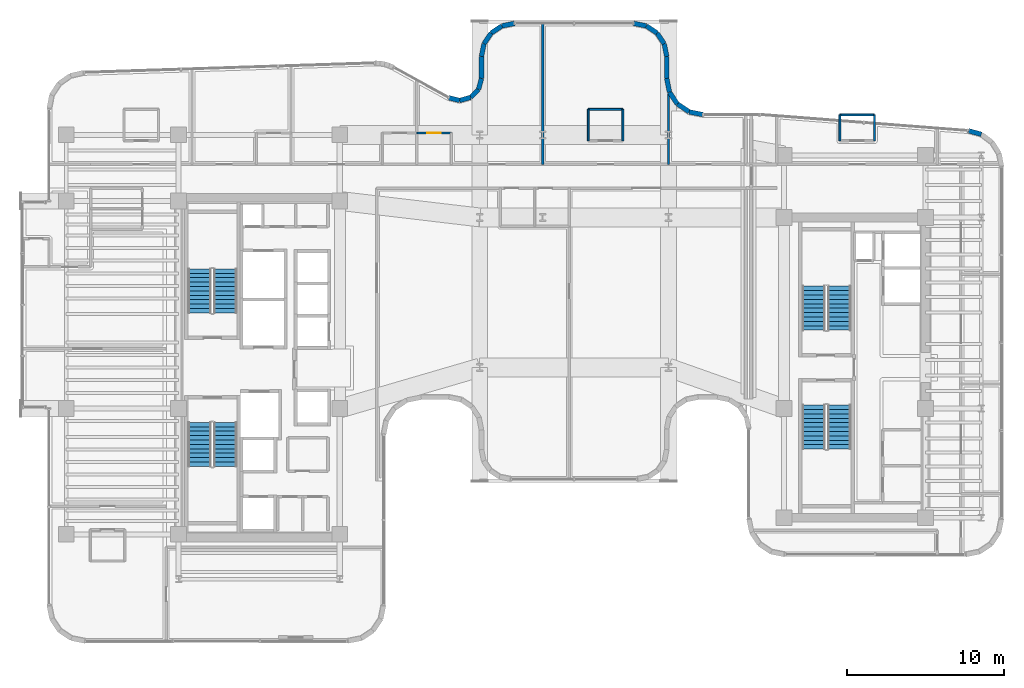
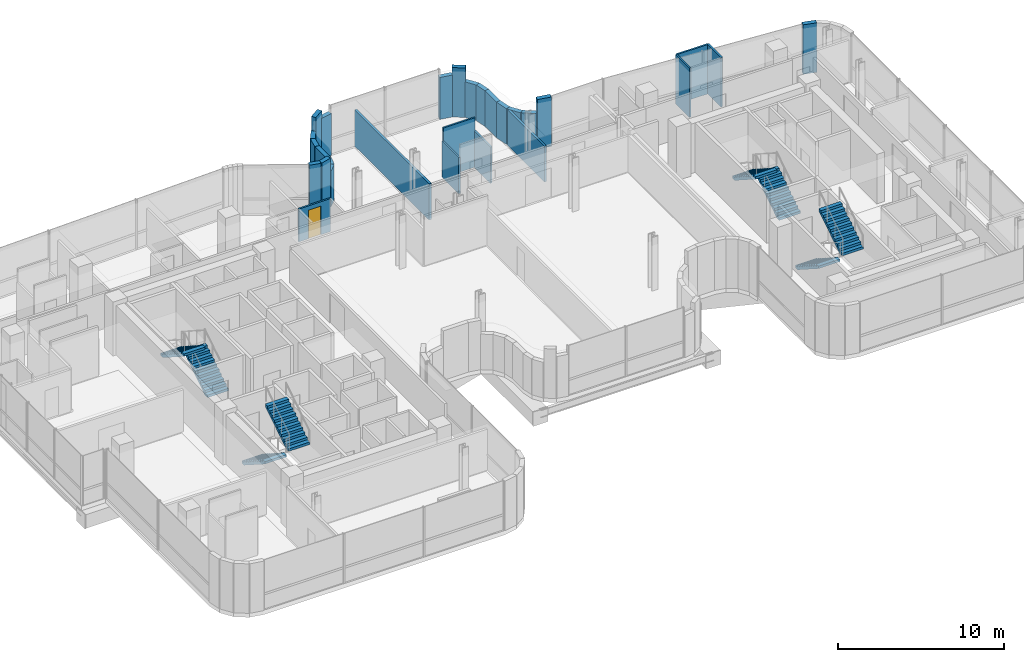
# One storey, part 31 of 36: 28 walls, 8 stair flights, 1 door, 1 opening, 4 elements without a shape of their own.
"""IFC4 building model written with IfcOpenShell, lengths in metres."""

from ifc_helpers import new_model, si_unit, direction, frame, frame_2d, origin, place, context, subcontext, project, spatial, polyline, rectangle, outline, extrude, material, layer, layer_set, type_object, element, fill, aggregate, save


model = new_model("IFC4")

# Units and contexts
model_context = context("Model", 3, precision=1e-05, world=origin(), true_north=direction((0.0, 1.0)))
body_context = subcontext(model_context, "Body", "Model", "MODEL_VIEW")
ifc_project = project(units=[si_unit("LENGTHUNIT", "METRE"), si_unit("AREAUNIT", "SQUARE_METRE"), si_unit("VOLUMEUNIT", "CUBIC_METRE"), si_unit("PLANEANGLEUNIT", "RADIAN"), si_unit("MASSUNIT", "GRAM", prefix="KILO")], contexts=[model_context])

# Site, building, storey
site_placement = place(None, origin())
site = spatial("IfcSite", under=ifc_project, at=site_placement, CompositionType="ELEMENT")
building_placement = place(site_placement, origin())
building = spatial("IfcBuilding", under=site, at=building_placement, Name="Valdorenza Pilgrim Sanctuary Tower", CompositionType="ELEMENT")
storey_placement = place(building_placement, frame((0.0, 0.0, 176.550048828125)))
storey = spatial("IfcBuildingStorey", under=building, at=storey_placement, Name="L45", CompositionType="ELEMENT", Elevation=176.550048828125)

# Walls
ifc_material_1 = material(Name="Honed travertine limestone", Category="masonry")
ifc_layer_1 = layer(ifc_material_1, 0.300048828125, Name="Honed travertine limestone")
ifc_layer_set_1 = layer_set([ifc_layer_1], Name="Honed travertine limestone")
wall_type_1 = type_object("IfcWallType", Name="WAL-EXT-300", PredefinedType="SOLIDWALL", material=ifc_layer_set_1)
wall_1_placement = place(storey_placement, frame((-5.4716796875, 17.15869140625, 0.0), z_axis=(0.0, 0.0, 1.0), x_axis=(0.970564820059, -0.240840050789, 0.0)))
element("IfcWall", 1, at=wall_1_placement, inside=storey, type_object=wall_type_1, Name="L45 Rounded Wind-Corner Stone Pier 12", PredefinedType="SOLIDWALL", context=body_context, shape_type="SweptSolid", body=[
    extrude(rectangle(XDim=0.711669921875, YDim=0.300048828125, at=frame_2d((0.35595703125, 0.0))), origin(), (0.0, 0.0, 1.0), 3.6298828125),
])
wall_2_placement = place(storey_placement, frame((-4.781005859375, 16.9873046875, 0.0), z_axis=(0.0, 0.0, 1.0), x_axis=(0.962494705656, 0.271300463662, 0.0)))
element("IfcWall", 2, at=wall_2_placement, inside=storey, type_object=wall_type_1, Name="L45 Rounded Wind-Corner Stone Pier 13", PredefinedType="SOLIDWALL", context=body_context, shape_type="SweptSolid", body=[
    extrude(rectangle(XDim=0.726318359375, YDim=0.300048828125, at=frame_2d((0.36328125, 0.0))), origin(), (0.0, 0.0, 1.0), 3.6298828125),
])
wall_3_placement = place(storey_placement, frame((-4.08203125, 17.184326171875, 0.0), z_axis=(0.0, 0.0, 1.0), x_axis=(0.701538604215, 0.712631452293, 0.0)))
element("IfcWall", 3, at=wall_3_placement, inside=storey, type_object=wall_type_1, Name="L45 Rounded Wind-Corner Stone Pier 14", PredefinedType="SOLIDWALL", context=body_context, shape_type="SweptSolid", body=[
    extrude(rectangle(XDim=0.726318359375, YDim=0.300048828125, at=frame_2d((0.36328125, 0.0))), origin(), (0.0, 0.0, 1.0), 2.614990234375),
])
wall_4_placement = place(storey_placement, frame((-3.572509765625, 17.701904296875, 0.0), z_axis=(0.0, 0.0, 1.0), x_axis=(0.256637481794, 0.966507735581, 0.0)))
element("IfcWall", 4, at=wall_4_placement, inside=storey, type_object=wall_type_1, Name="L45 Rounded Wind-Corner Stone Pier 15", PredefinedType="SOLIDWALL", context=body_context, shape_type="SweptSolid", body=[
    extrude(rectangle(XDim=0.711669921875, YDim=0.300048828125, at=frame_2d((0.35595703125, 0.0))), origin(), (0.0, 0.0, 1.0), 2.614990234375),
])
wall_5_placement = place(storey_placement, frame((-3.389892578125, 18.3896484375, 0.0), z_axis=(0.0, 0.0, 1.0), x_axis=(0.0, 1.0, 0.0)))
element("IfcWall", 5, at=wall_5_placement, inside=storey, type_object=wall_type_1, Name="L45 Rounded Wind-Corner Stone Pier 16", PredefinedType="SOLIDWALL", context=body_context, shape_type="SweptSolid", body=[
    extrude(rectangle(XDim=1.3955078125, YDim=0.300048828125, at=frame_2d((0.69775390625, 0.0))), origin(), (0.0, 0.0, 1.0), 2.614990234375),
])
wall_6_placement = place(storey_placement, frame((-3.389892578125, 19.78515625, 0.0), z_axis=(0.0, 0.0, 1.0), x_axis=(0.195094354541, 0.980784478276, 0.0)))
element("IfcWall", 6, at=wall_6_placement, inside=storey, type_object=wall_type_1, Name="L45 Rounded Wind-Corner Stone Pier 17", PredefinedType="SOLIDWALL", context=body_context, shape_type="SweptSolid", body=[
    extrude(rectangle(XDim=0.8271484375, YDim=0.300048828125, at=frame_2d((0.41357421875, 0.0))), origin(), (0.0, 0.0, 1.0), 2.614990234375),
])
wall_7_placement = place(storey_placement, frame((-3.228515625, 20.596435546875, 0.0), z_axis=(0.0, 0.0, 1.0), x_axis=(0.55545926088, 0.831543750805, 0.0)))
element("IfcWall", 7, at=wall_7_placement, inside=storey, type_object=wall_type_1, Name="L45 Rounded Wind-Corner Stone Pier 18", PredefinedType="SOLIDWALL", context=body_context, shape_type="SweptSolid", body=[
    extrude(rectangle(XDim=0.816162109375, YDim=0.300048828125, at=frame_2d((0.408203125, 0.0))), origin(), (0.0, 0.0, 1.0), 2.614990234375),
])
wall_8_placement = place(storey_placement, frame((-2.775146484375, 21.275146484375, 0.0), z_axis=(0.0, 0.0, 1.0), x_axis=(0.831543750805, 0.55545926088, 0.0)))
element("IfcWall", 8, at=wall_8_placement, inside=storey, type_object=wall_type_1, Name="L45 Rounded Wind-Corner Stone Pier 19", PredefinedType="SOLIDWALL", context=body_context, shape_type="SweptSolid", body=[
    extrude(rectangle(XDim=0.816162109375, YDim=0.300048828125, at=frame_2d((0.408203125, 0.0))), origin(), (0.0, 0.0, 1.0), 3.6298828125),
])
for number, where, z_axis, x_axis, name in (
    (9, (-2.096435546875, 21.728515625, 0.0), (0.0, 0.0, 1.0), (0.980784478276, 0.195094354541, 0.0), "L45 Rounded Wind-Corner Stone Pier 20"),
    (10, (6.28515625, 21.889892578125, 0.0), (0.0, 0.0, 1.0), (0.980784478276, -0.195094354541, 0.0), "L45 Rounded Wind-Corner Stone Pier 22"),
):
    element("IfcWall", number, at=place(storey_placement, frame(where, z_axis=z_axis, x_axis=x_axis)), inside=storey, type_object=wall_type_1, Name=name, PredefinedType="SOLIDWALL", context=body_context, shape_type="SweptSolid", body=[
        extrude(rectangle(XDim=0.8271484375, YDim=0.300048828125, at=frame_2d((0.41357421875, 0.0))), origin(), (0.0, 0.0, 1.0), 3.075927734375),
    ])
wall_9_placement = place(storey_placement, frame((7.096435546875, 21.728515625, 0.0), z_axis=(0.0, 0.0, 1.0), x_axis=(0.831543750805, -0.55545926088, 0.0)))
element("IfcWall", 11, at=wall_9_placement, inside=storey, type_object=wall_type_1, Name="L45 Rounded Wind-Corner Stone Pier 23", PredefinedType="SOLIDWALL", context=body_context, shape_type="SweptSolid", body=[
    extrude(rectangle(XDim=0.816162109375, YDim=0.300048828125, at=frame_2d((0.408203125, 0.0))), origin(), (0.0, 0.0, 1.0), 3.6298828125),
])
wall_10_placement = place(storey_placement, frame((7.775146484375, 21.275146484375, 0.0), z_axis=(0.0, 0.0, 1.0), x_axis=(0.55545926088, -0.831543750805, 0.0)))
element("IfcWall", 12, at=wall_10_placement, inside=storey, type_object=wall_type_1, Name="L45 Rounded Wind-Corner Stone Pier 24", PredefinedType="SOLIDWALL", context=body_context, shape_type="SweptSolid", body=[
    extrude(rectangle(XDim=0.816162109375, YDim=0.300048828125, at=frame_2d((0.408203125, 0.0))), origin(), (0.0, 0.0, 1.0), 2.614990234375),
])
wall_11_placement = place(storey_placement, frame((8.228515625, 20.596435546875, 0.0), z_axis=(0.0, 0.0, 1.0), x_axis=(0.195094354541, -0.980784478276, 0.0)))
element("IfcWall", 13, at=wall_11_placement, inside=storey, type_object=wall_type_1, Name="L45 Rounded Wind-Corner Stone Pier 25", PredefinedType="SOLIDWALL", context=body_context, shape_type="SweptSolid", body=[
    extrude(rectangle(XDim=0.8271484375, YDim=0.300048828125, at=frame_2d((0.41357421875, 0.0))), origin(), (0.0, 0.0, 1.0), 2.614990234375),
])
wall_12_placement = place(storey_placement, frame((8.389892578125, 19.78515625, 0.0), z_axis=(0.0, 0.0, 1.0), x_axis=(0.0, -1.0, 0.0)))
element("IfcWall", 14, at=wall_12_placement, inside=storey, type_object=wall_type_1, Name="L45 Rounded Wind-Corner Stone Pier 26", PredefinedType="SOLIDWALL", context=body_context, shape_type="SweptSolid", body=[
    extrude(rectangle(XDim=1.391845703125, YDim=0.300048828125, at=frame_2d((0.69580078125, 0.0))), origin(), (0.0, 0.0, 1.0), 2.614990234375),
])
wall_13_placement = place(storey_placement, frame((8.389892578125, 18.393310546875, 0.0), z_axis=(0.0, 0.0, 1.0), x_axis=(0.195222179208, -0.980759043163, 0.0)))
element("IfcWall", 15, at=wall_13_placement, inside=storey, type_object=wall_type_1, Name="L45 Rounded Wind-Corner Stone Pier 27", PredefinedType="SOLIDWALL", context=body_context, shape_type="SweptSolid", body=[
    extrude(rectangle(XDim=0.892822265625, YDim=0.300048828125, at=frame_2d((0.4462890625, 0.0))), origin(), (0.0, 0.0, 1.0), 2.614990234375),
])
for number, where, z_axis, x_axis, name in (
    (16, (8.564208984375, 17.517578125, 0.0), (0.0, 0.0, 1.0), (0.555448106233, -0.831551201841, 0.0), "L45 Rounded Wind-Corner Stone Pier 28"),
    (17, (9.066162109375, 16.76611328125, 0.0), (0.0, 0.0, 1.0), (0.831551201841, -0.555448106233, 0.0), "L45 Rounded Wind-Corner Stone Pier 29"),
):
    element("IfcWall", number, at=place(storey_placement, frame(where, z_axis=z_axis, x_axis=x_axis)), inside=storey, type_object=wall_type_1, Name=name, PredefinedType="SOLIDWALL", context=body_context, shape_type="SweptSolid", body=[
        extrude(rectangle(XDim=0.90380859375, YDim=0.300048828125, at=frame_2d((0.451904296875, 0.0))), origin(), (0.0, 0.0, 1.0), 2.614990234375),
    ])
wall_14_placement = place(storey_placement, frame((9.817626953125, 16.26416015625, 0.0), z_axis=(0.0, 0.0, 1.0), x_axis=(0.980800964186, -0.195011457743, 0.0)))
element("IfcWall", 18, at=wall_14_placement, inside=storey, type_object=wall_type_1, Name="L45 Rounded Wind-Corner Stone Pier 30", PredefinedType="SOLIDWALL", context=body_context, shape_type="SweptSolid", body=[
    extrude(rectangle(XDim=0.892578125, YDim=0.300048828125, at=frame_2d((0.4462890625, 0.0))), origin(), (0.0, 0.0, 1.0), 3.6298828125),
])
wall_15_placement = place(storey_placement, frame((27.56640625, 15.0625, 0.0), z_axis=(0.0, 0.0, 1.0), x_axis=(0.965357594382, -0.260930479187, 0.0)))
element("IfcWall", 19, at=wall_15_placement, inside=storey, type_object=wall_type_1, Name="L45 Rounded Wind-Corner Stone Pier 33", PredefinedType="SOLIDWALL", context=body_context, shape_type="SweptSolid", body=[
    extrude(rectangle(XDim=0.85986328125, YDim=0.300048828125, at=frame_2d((0.429931640625, 0.0))), origin(), (0.0, 0.0, 1.0), 3.6298828125),
])

# Wall, opening, door
ifc_material_2 = material(Name="Moisture-resistant gypsum partition", Category="gypsum")
ifc_layer_2 = layer(ifc_material_2, 0.1201171875, Name="Moisture-resistant gypsum partition")
ifc_layer_set_2 = layer_set([ifc_layer_2], Name="Moisture-resistant gypsum partition")
wall_type_2 = type_object("IfcWallType", Name="WAL-INT-120", PredefinedType="PARTITIONING", material=ifc_layer_set_2)
wall_16_placement = place(storey_placement, frame((-7.5, 14.919921875, 0.0), z_axis=(0.0, 0.0, 1.0), x_axis=(1.0, 0.0, 0.0)))
wall_16 = element("IfcWall", 20, at=wall_16_placement, inside=storey, type_object=wall_type_2, Name="L45 North Guest Room L45-N4 En-suite Door Wall", PredefinedType="PARTITIONING", context=body_context, shape_type="SweptSolid", body=[
    extrude(rectangle(XDim=2.199951171875, YDim=0.1201171875, at=frame_2d((1.10009765625, 0.0))), origin(), (0.0, 0.0, 1.0), 2.4150390625),
])
opening_placement = place(wall_16_placement, frame((0.675048828125, 0.0, 0.0)))
opening = element("IfcOpeningElement", 21, at=opening_placement, cuts=wall_16, Name="Opening DR-WC1", PredefinedType="OPENING", context=body_context, shape_type="SweptSolid", body=[
    extrude(rectangle(XDim=0.85009765625, YDim=2.10009765625, at=frame_2d((0.425048828125, 1.050048828125))), frame((0.0, 0.074951171875, 0.0), z_axis=(0.0, -1.0, 0.0), x_axis=(1.0, 0.0, 0.0)), (0.0, 0.0, 1.0), 0.14990234375),
])
ifc_material_3 = material(Name="Moisture-resistant lacquered timber", Category="wood")
door_type = type_object("IfcDoorType", Name="DR-BATH-850", OperationType="NOTDEFINED", PredefinedType="DOOR", material=ifc_material_3)
door_placement = place(opening_placement, origin())
door = element("IfcDoor", 22, at=door_placement, inside=storey, type_object=door_type, Name="L45 North Guest Room L45-N4 En-suite Bathroom Door", OperationType="SINGLE_SWING_RIGHT", OverallHeight=2.10009765625, OverallWidth=0.85009765625, PredefinedType="DOOR", context=body_context, shape_type="SweptSolid", body=[
    extrude(rectangle(XDim=0.85009765625, YDim=2.10009765625, at=frame_2d((0.425048828125, 1.050048828125))), frame((0.0, 0.02490234375, 0.0), z_axis=(0.0, -1.0, 0.0), x_axis=(1.0, 0.0, 0.0)), (0.0, 0.0, 1.0), 0.050048828125),
])
fill(opening, door)

# Walls
for number, where, z_axis, x_axis, name in (
    (23, (3.39990234375, 14.419921875, 0.0), (0.0, 0.0, 1.0), (0.0, 1.0, 0.0), "L45 North Guest Room L45-N5 En-suite West Wall"),
    (24, (5.60009765625, 14.419921875, 0.0), (0.0, 0.0, 1.0), (0.0, 1.0, 0.0), "L45 North Guest Room L45-N5 En-suite East Wall"),
):
    element("IfcWall", number, at=place(storey_placement, frame(where, z_axis=z_axis, x_axis=x_axis)), inside=storey, type_object=wall_type_2, Name=name, PredefinedType="PARTITIONING", context=body_context, shape_type="SweptSolid", body=[
        extrude(rectangle(XDim=2.0, YDim=0.1201171875, at=frame_2d((1.0, 0.0))), origin(), (0.0, 0.0, 1.0), 2.6650390625),
    ])
wall_17_placement = place(storey_placement, frame((3.39990234375, 16.419921875, 0.0), z_axis=(0.0, 0.0, 1.0), x_axis=(1.0, 0.0, 0.0)))
element("IfcWall", 25, at=wall_17_placement, inside=storey, type_object=wall_type_2, Name="L45 North Guest Room L45-N5 En-suite Back Wall", PredefinedType="PARTITIONING", context=body_context, shape_type="SweptSolid", body=[
    extrude(rectangle(XDim=2.2001953125, YDim=0.1201171875, at=frame_2d((1.10009765625, 0.0))), origin(), (0.0, 0.0, 1.0), 3.6298828125),
])
for number, where, z_axis, x_axis, name in (
    (26, (19.39990234375, 14.419921875, 0.0), (0.0, 0.0, 1.0), (0.0, 1.0, 0.0), "L45 East North Guest Room L45-EN1 En-suite West Wall"),
    (27, (21.60009765625, 14.419921875, 0.0), (0.0, 0.0, 1.0), (0.0, 1.0, 0.0), "L45 East North Guest Room L45-EN1 En-suite East Wall"),
):
    element("IfcWall", number, at=place(storey_placement, frame(where, z_axis=z_axis, x_axis=x_axis)), inside=storey, type_object=wall_type_2, Name=name, PredefinedType="PARTITIONING", context=body_context, shape_type="SweptSolid", body=[
        extrude(rectangle(XDim=1.650146484375, YDim=0.1201171875, at=frame_2d((0.8251953125, 0.0))), origin(), (0.0, 0.0, 1.0), 3.6298828125),
    ])
wall_18_placement = place(storey_placement, frame((19.39990234375, 16.070068359375, 0.0), z_axis=(0.0, 0.0, 1.0), x_axis=(1.0, 0.0, 0.0)))
element("IfcWall", 28, at=wall_18_placement, inside=storey, type_object=wall_type_2, Name="L45 East North Guest Room L45-EN1 En-suite Back Wall", PredefinedType="PARTITIONING", context=body_context, shape_type="SweptSolid", body=[
    extrude(rectangle(XDim=2.2001953125, YDim=0.1201171875, at=frame_2d((1.10009765625, 0.0))), origin(), (0.0, 0.0, 1.0), 3.6298828125),
])
ifc_material_4 = material(Name="Acoustic twin-stud gypsum partition", Category="gypsum")
ifc_layer_3 = layer(ifc_material_4, 0.14990234375, Name="Acoustic twin-stud gypsum partition")
ifc_layer_set_3 = layer_set([ifc_layer_3], Name="Acoustic twin-stud gypsum partition")
wall_type_3 = type_object("IfcWallType", Name="WAL-UNT-150", PredefinedType="PARTITIONING", material=ifc_layer_set_3)
wall_19_placement = place(storey_placement, frame((8.5, 12.919921875, 0.0), z_axis=(0.0, 0.0, 1.0), x_axis=(0.0, 1.0, 0.0)))
element("IfcWall", 29, at=wall_19_placement, inside=storey, type_object=wall_type_3, Name="L45 North-East Prow Split Wall", PredefinedType="PARTITIONING", context=body_context, shape_type="SweptSolid", body=[
    extrude(rectangle(XDim=4.468994140625, YDim=0.14990234375, at=frame_2d((2.234375, 0.0))), origin(), (0.0, 0.0, 1.0), 2.614990234375),
])
wall_20_placement = place(storey_placement, frame((0.5, 12.919921875, 0.0), z_axis=(0.0, 0.0, 1.0), x_axis=(0.0, 1.0, 0.0)))
element("IfcWall", 30, at=wall_20_placement, inside=storey, type_object=wall_type_3, Name="L45 North Demising 4", PredefinedType="PARTITIONING", context=body_context, shape_type="SweptSolid", body=[
    extrude(rectangle(XDim=8.969970703125, YDim=0.14990234375, at=frame_2d((4.48486328125, 0.0))), origin(), (0.0, 0.0, 1.0), 2.6650390625),
])

# Stair, stair flights
ifc_material_5 = material(Name="Concrete C40/50", Category="concrete")
stair_type = type_object("IfcStairType", Name="STR-DOG-CORE", PredefinedType="HALF_TURN_STAIR", material=ifc_material_5)
stair_1_placement = place(storey_placement, origin())
stair_1 = element("IfcStair", 31, at=stair_1_placement, inside=storey, type_object=stair_type, Name="L45 ST-A1", PredefinedType="HALF_TURN_STAIR")
stair_flight_type = type_object("IfcStairFlightType", Name="STF-RC-1400", PredefinedType="STRAIGHT", material=ifc_material_5)
stair_flight_1_placement = place(storey_placement, frame((-19.679931640625, 3.47998046875, 0.0), z_axis=(0.0, 0.0, 1.0), x_axis=(0.0, 1.0, 0.0)))
stair_flight_1 = element("IfcStairFlight", 32, at=stair_flight_1_placement, type_object=stair_flight_type, Name="ST-A1 flight 1", NumberOfRisers=11, NumberOfTreads=10, PredefinedType="STRAIGHT", RiserHeight=0.179545455, TreadLength=0.28, context=body_context, shape_type="SweptSolid", body=[
    extrude(outline(polyline([(0.0, 0.0), (0.0, 0.179443359375), (0.280029296875, 0.179443359375), (0.280029296875, 0.359130859375), (0.56005859375, 0.359130859375), (0.56005859375, 0.53857421875), (0.840087890625, 0.53857421875), (0.840087890625, 0.71826171875), (1.1201171875, 0.71826171875), (1.1201171875, 0.897705078125), (1.39990234375, 0.897705078125), (1.39990234375, 1.077392578125), (1.679931640625, 1.077392578125), (1.679931640625, 1.2568359375), (1.9599609375, 1.2568359375), (1.9599609375, 1.436279296875), (2.239990234375, 1.436279296875), (2.239990234375, 1.615966796875), (2.52001953125, 1.615966796875), (2.52001953125, 1.79541015625), (2.800048828125, 1.79541015625), (2.800048828125, 1.97509765625), (2.800048828125, 1.617431640625), (0.277587890625, 0.0), (0.0, 0.0)])), frame((0.0, 0.739990234375, 0.0), z_axis=(0.0, -1.0, 0.0), x_axis=(1.0, 0.0, 0.0)), (0.0, 0.0, 1.0), 1.47998046875),
])
stair_flight_2_placement = place(storey_placement, frame((-21.31005859375, 6.280029296875, 1.974853515625), z_axis=(0.0, 0.0, 1.0), x_axis=(0.0, -1.0, 0.0)))
stair_flight_2 = element("IfcStairFlight", 33, at=stair_flight_2_placement, type_object=stair_flight_type, Name="ST-A1 flight 2", NumberOfRisers=11, NumberOfTreads=10, PredefinedType="STRAIGHT", RiserHeight=0.179545455, TreadLength=0.28, context=body_context, shape_type="SweptSolid", body=[
    extrude(outline(polyline([(0.0, 0.0), (0.0, 0.179443359375), (0.280029296875, 0.179443359375), (0.280029296875, 0.359130859375), (0.56005859375, 0.359130859375), (0.56005859375, 0.53857421875), (0.840087890625, 0.53857421875), (0.840087890625, 0.71826171875), (1.1201171875, 0.71826171875), (1.1201171875, 0.897705078125), (1.39990234375, 0.897705078125), (1.39990234375, 1.077392578125), (1.679931640625, 1.077392578125), (1.679931640625, 1.2568359375), (1.9599609375, 1.2568359375), (1.9599609375, 1.436279296875), (2.239990234375, 1.436279296875), (2.239990234375, 1.615966796875), (2.52001953125, 1.615966796875), (2.52001953125, 1.79541015625), (2.800048828125, 1.79541015625), (2.800048828125, 1.97509765625), (2.800048828125, 1.617431640625), (0.277587890625, 0.0), (0.0, 0.0)])), frame((0.0, 0.739990234375, 0.0), z_axis=(0.0, -1.0, 0.0), x_axis=(1.0, 0.0, 0.0)), (0.0, 0.0, 1.0), 1.47998046875),
])
aggregate(stair_1, [stair_flight_1, stair_flight_2])

stair_2_placement = place(storey_placement, origin())
stair_2 = element("IfcStair", 34, at=stair_2_placement, inside=storey, type_object=stair_type, Name="L45 ST-A2", PredefinedType="HALF_TURN_STAIR")
stair_flight_3_placement = place(storey_placement, frame((-21.31005859375, -3.47998046875, 0.0), z_axis=(0.0, 0.0, 1.0), x_axis=(0.0, -1.0, 0.0)))
stair_flight_3 = element("IfcStairFlight", 35, at=stair_flight_3_placement, type_object=stair_flight_type, Name="ST-A2 flight 1", NumberOfRisers=11, NumberOfTreads=10, PredefinedType="STRAIGHT", RiserHeight=0.179545455, TreadLength=0.28, context=body_context, shape_type="SweptSolid", body=[
    extrude(outline(polyline([(0.0, 0.0), (0.0, 0.179443359375), (0.280029296875, 0.179443359375), (0.280029296875, 0.359130859375), (0.56005859375, 0.359130859375), (0.56005859375, 0.53857421875), (0.840087890625, 0.53857421875), (0.840087890625, 0.71826171875), (1.1201171875, 0.71826171875), (1.1201171875, 0.897705078125), (1.39990234375, 0.897705078125), (1.39990234375, 1.077392578125), (1.679931640625, 1.077392578125), (1.679931640625, 1.2568359375), (1.9599609375, 1.2568359375), (1.9599609375, 1.436279296875), (2.239990234375, 1.436279296875), (2.239990234375, 1.615966796875), (2.52001953125, 1.615966796875), (2.52001953125, 1.79541015625), (2.800048828125, 1.79541015625), (2.800048828125, 1.97509765625), (2.800048828125, 1.617431640625), (0.277587890625, 0.0), (0.0, 0.0)])), frame((0.0, 0.739990234375, 0.0), z_axis=(0.0, -1.0, 0.0), x_axis=(1.0, 0.0, 0.0)), (0.0, 0.0, 1.0), 1.47998046875),
])
stair_flight_4_placement = place(storey_placement, frame((-19.679931640625, -6.280029296875, 1.974853515625), z_axis=(0.0, 0.0, 1.0), x_axis=(0.0, 1.0, 0.0)))
stair_flight_4 = element("IfcStairFlight", 36, at=stair_flight_4_placement, type_object=stair_flight_type, Name="ST-A2 flight 2", NumberOfRisers=11, NumberOfTreads=10, PredefinedType="STRAIGHT", RiserHeight=0.179545455, TreadLength=0.28, context=body_context, shape_type="SweptSolid", body=[
    extrude(outline(polyline([(0.0, 0.0), (0.0, 0.179443359375), (0.280029296875, 0.179443359375), (0.280029296875, 0.359130859375), (0.56005859375, 0.359130859375), (0.56005859375, 0.53857421875), (0.840087890625, 0.53857421875), (0.840087890625, 0.71826171875), (1.1201171875, 0.71826171875), (1.1201171875, 0.897705078125), (1.39990234375, 0.897705078125), (1.39990234375, 1.077392578125), (1.679931640625, 1.077392578125), (1.679931640625, 1.2568359375), (1.9599609375, 1.2568359375), (1.9599609375, 1.436279296875), (2.239990234375, 1.436279296875), (2.239990234375, 1.615966796875), (2.52001953125, 1.615966796875), (2.52001953125, 1.79541015625), (2.800048828125, 1.79541015625), (2.800048828125, 1.97509765625), (2.800048828125, 1.617431640625), (0.277587890625, 0.0), (0.0, 0.0)])), frame((0.0, 0.739990234375, 0.0), z_axis=(0.0, -1.0, 0.0), x_axis=(1.0, 0.0, 0.0)), (0.0, 0.0, 1.0), 1.47998046875),
])
aggregate(stair_2, [stair_flight_3, stair_flight_4])

stair_3_placement = place(storey_placement, origin())
stair_3 = element("IfcStair", 37, at=stair_3_placement, inside=storey, type_object=stair_type, Name="L45 ST-B1", PredefinedType="HALF_TURN_STAIR")
stair_flight_5_placement = place(storey_placement, frame((19.3701171875, 2.3798828125, 0.0), z_axis=(0.0, 0.0, 1.0), x_axis=(0.0, 1.0, 0.0)))
stair_flight_5 = element("IfcStairFlight", 38, at=stair_flight_5_placement, type_object=stair_flight_type, Name="ST-B1 flight 1", NumberOfRisers=11, NumberOfTreads=10, PredefinedType="STRAIGHT", RiserHeight=0.179545455, TreadLength=0.28, context=body_context, shape_type="SweptSolid", body=[
    extrude(outline(polyline([(0.0, 0.0), (0.0, 0.179443359375), (0.280029296875, 0.179443359375), (0.280029296875, 0.359130859375), (0.56005859375, 0.359130859375), (0.56005859375, 0.53857421875), (0.840087890625, 0.53857421875), (0.840087890625, 0.71826171875), (1.1201171875, 0.71826171875), (1.1201171875, 0.897705078125), (1.39990234375, 0.897705078125), (1.39990234375, 1.077392578125), (1.679931640625, 1.077392578125), (1.679931640625, 1.2568359375), (1.9599609375, 1.2568359375), (1.9599609375, 1.436279296875), (2.239990234375, 1.436279296875), (2.239990234375, 1.615966796875), (2.52001953125, 1.615966796875), (2.52001953125, 1.79541015625), (2.800048828125, 1.79541015625), (2.800048828125, 1.97509765625), (2.800048828125, 1.617431640625), (0.277587890625, 0.0), (0.0, 0.0)])), frame((0.0, 0.739990234375, 0.0), z_axis=(0.0, -1.0, 0.0), x_axis=(1.0, 0.0, 0.0)), (0.0, 0.0, 1.0), 1.47998046875),
])
stair_flight_6_placement = place(storey_placement, frame((17.739990234375, 5.179931640625, 1.974853515625), z_axis=(0.0, 0.0, 1.0), x_axis=(0.0, -1.0, 0.0)))
stair_flight_6 = element("IfcStairFlight", 39, at=stair_flight_6_placement, type_object=stair_flight_type, Name="ST-B1 flight 2", NumberOfRisers=11, NumberOfTreads=10, PredefinedType="STRAIGHT", RiserHeight=0.179545455, TreadLength=0.28, context=body_context, shape_type="SweptSolid", body=[
    extrude(outline(polyline([(0.0, 0.0), (0.0, 0.179443359375), (0.280029296875, 0.179443359375), (0.280029296875, 0.359130859375), (0.56005859375, 0.359130859375), (0.56005859375, 0.53857421875), (0.840087890625, 0.53857421875), (0.840087890625, 0.71826171875), (1.1201171875, 0.71826171875), (1.1201171875, 0.897705078125), (1.39990234375, 0.897705078125), (1.39990234375, 1.077392578125), (1.679931640625, 1.077392578125), (1.679931640625, 1.2568359375), (1.9599609375, 1.2568359375), (1.9599609375, 1.436279296875), (2.239990234375, 1.436279296875), (2.239990234375, 1.615966796875), (2.52001953125, 1.615966796875), (2.52001953125, 1.79541015625), (2.800048828125, 1.79541015625), (2.800048828125, 1.97509765625), (2.800048828125, 1.617431640625), (0.277587890625, 0.0), (0.0, 0.0)])), frame((0.0, 0.739990234375, 0.0), z_axis=(0.0, -1.0, 0.0), x_axis=(1.0, 0.0, 0.0)), (0.0, 0.0, 1.0), 1.47998046875),
])
aggregate(stair_3, [stair_flight_5, stair_flight_6])

stair_4_placement = place(storey_placement, origin())
stair_4 = element("IfcStair", 40, at=stair_4_placement, inside=storey, type_object=stair_type, Name="L45 ST-B2", PredefinedType="HALF_TURN_STAIR")
stair_flight_7_placement = place(storey_placement, frame((17.739990234375, -2.3798828125, 0.0), z_axis=(0.0, 0.0, 1.0), x_axis=(0.0, -1.0, 0.0)))
stair_flight_7 = element("IfcStairFlight", 41, at=stair_flight_7_placement, type_object=stair_flight_type, Name="ST-B2 flight 1", NumberOfRisers=11, NumberOfTreads=10, PredefinedType="STRAIGHT", RiserHeight=0.179545455, TreadLength=0.28, context=body_context, shape_type="SweptSolid", body=[
    extrude(outline(polyline([(0.0, 0.0), (0.0, 0.179443359375), (0.280029296875, 0.179443359375), (0.280029296875, 0.359130859375), (0.56005859375, 0.359130859375), (0.56005859375, 0.53857421875), (0.840087890625, 0.53857421875), (0.840087890625, 0.71826171875), (1.1201171875, 0.71826171875), (1.1201171875, 0.897705078125), (1.39990234375, 0.897705078125), (1.39990234375, 1.077392578125), (1.679931640625, 1.077392578125), (1.679931640625, 1.2568359375), (1.9599609375, 1.2568359375), (1.9599609375, 1.436279296875), (2.239990234375, 1.436279296875), (2.239990234375, 1.615966796875), (2.52001953125, 1.615966796875), (2.52001953125, 1.79541015625), (2.800048828125, 1.79541015625), (2.800048828125, 1.97509765625), (2.800048828125, 1.617431640625), (0.277587890625, 0.0), (0.0, 0.0)])), frame((0.0, 0.739990234375, 0.0), z_axis=(0.0, -1.0, 0.0), x_axis=(1.0, 0.0, 0.0)), (0.0, 0.0, 1.0), 1.47998046875),
])
stair_flight_8_placement = place(storey_placement, frame((19.3701171875, -5.179931640625, 1.974853515625), z_axis=(0.0, 0.0, 1.0), x_axis=(0.0, 1.0, 0.0)))
stair_flight_8 = element("IfcStairFlight", 42, at=stair_flight_8_placement, type_object=stair_flight_type, Name="ST-B2 flight 2", NumberOfRisers=11, NumberOfTreads=10, PredefinedType="STRAIGHT", RiserHeight=0.179545455, TreadLength=0.28, context=body_context, shape_type="SweptSolid", body=[
    extrude(outline(polyline([(0.0, 0.0), (0.0, 0.179443359375), (0.280029296875, 0.179443359375), (0.280029296875, 0.359130859375), (0.56005859375, 0.359130859375), (0.56005859375, 0.53857421875), (0.840087890625, 0.53857421875), (0.840087890625, 0.71826171875), (1.1201171875, 0.71826171875), (1.1201171875, 0.897705078125), (1.39990234375, 0.897705078125), (1.39990234375, 1.077392578125), (1.679931640625, 1.077392578125), (1.679931640625, 1.2568359375), (1.9599609375, 1.2568359375), (1.9599609375, 1.436279296875), (2.239990234375, 1.436279296875), (2.239990234375, 1.615966796875), (2.52001953125, 1.615966796875), (2.52001953125, 1.79541015625), (2.800048828125, 1.79541015625), (2.800048828125, 1.97509765625), (2.800048828125, 1.617431640625), (0.277587890625, 0.0), (0.0, 0.0)])), frame((0.0, 0.739990234375, 0.0), z_axis=(0.0, -1.0, 0.0), x_axis=(1.0, 0.0, 0.0)), (0.0, 0.0, 1.0), 1.47998046875),
])
aggregate(stair_4, [stair_flight_7, stair_flight_8])

save(model, "model.ifc")
